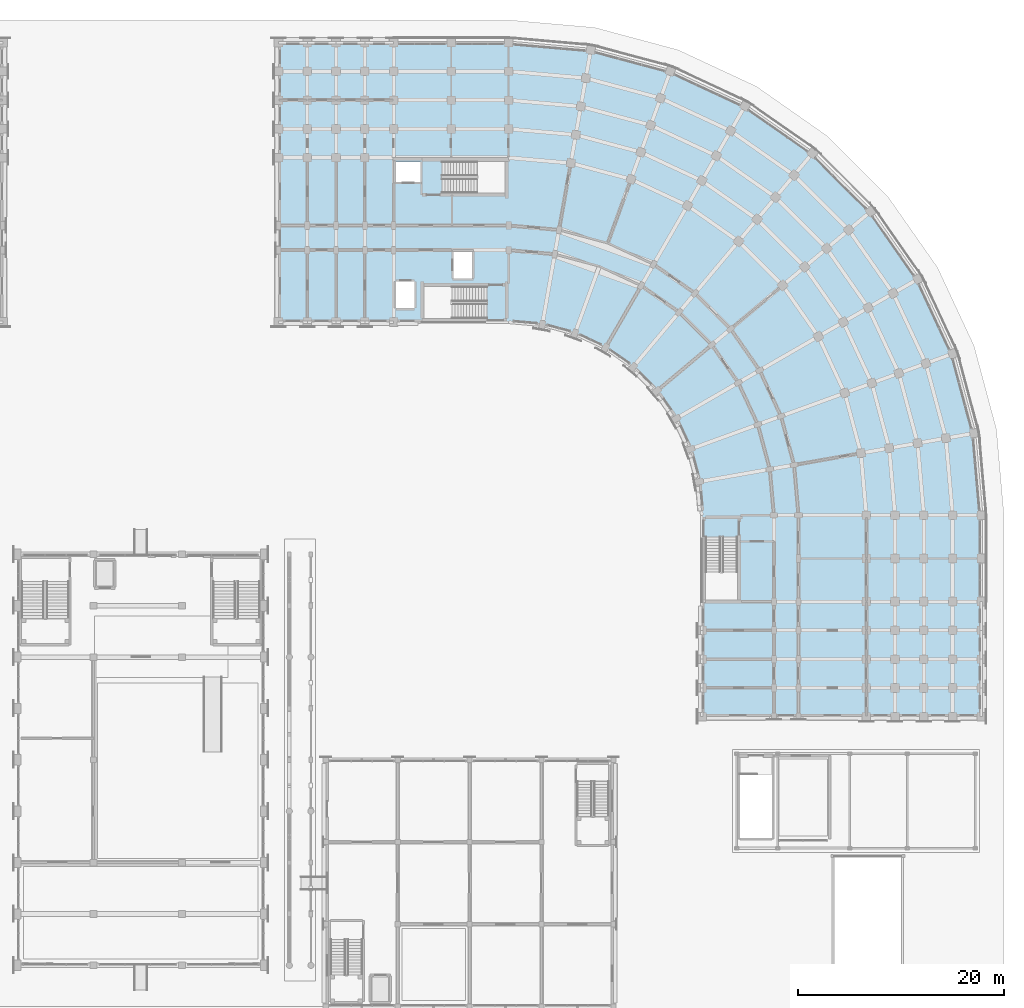
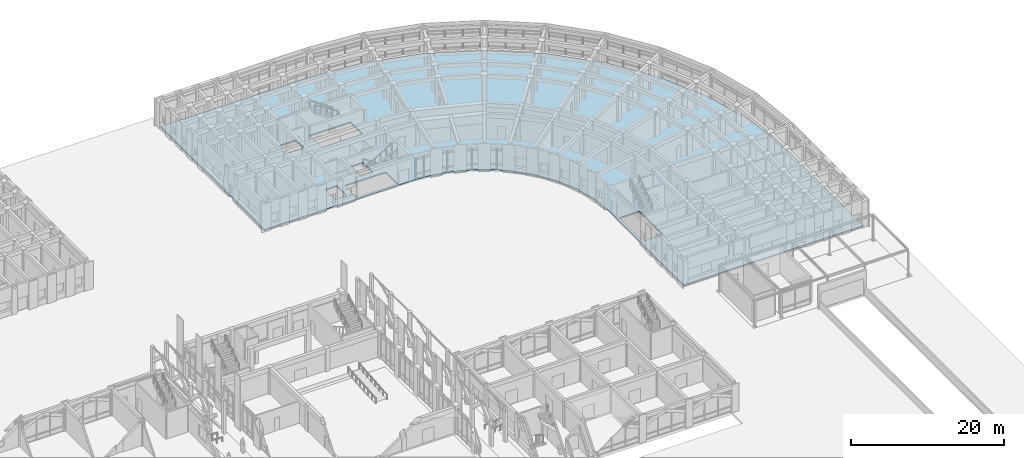
# One storey, part 71 of 135: 1 slab.
"""IFC4 building model written with IfcOpenShell, lengths in metres."""

from ifc_helpers import new_model, si_unit, direction, frame, origin, place, context, subcontext, project, spatial, polyline, outline, extrude, material, layer, layer_set, type_object, element, save


model = new_model("IFC4")

# Units and contexts
model_context = context("Model", 3, precision=1e-05, world=origin(), true_north=direction((0.0, 1.0)))
body_context = subcontext(model_context, "Body", "Model", "MODEL_VIEW")
ifc_project = project(units=[si_unit("LENGTHUNIT", "METRE"), si_unit("AREAUNIT", "SQUARE_METRE"), si_unit("VOLUMEUNIT", "CUBIC_METRE"), si_unit("PLANEANGLEUNIT", "RADIAN"), si_unit("MASSUNIT", "GRAM", prefix="KILO")], contexts=[model_context])

# Site, building, storey
site_placement = place(None, origin())
site = spatial("IfcSite", under=ifc_project, at=site_placement, CompositionType="ELEMENT")
building_placement = place(site_placement, origin())
building = spatial("IfcBuilding", under=site, at=building_placement, Name="Kiranvali Square Residences", CompositionType="ELEMENT")
storey_placement = place(building_placement, origin())
storey = spatial("IfcBuildingStorey", under=building, at=storey_placement, Name="L00", CompositionType="ELEMENT", Elevation=0.0)

# Slab
ifc_material = material(Name="Concrete M35 (35 MPa)", Category="concrete")
ifc_layer = layer(ifc_material, 0.219970703125)
ifc_layer_set = layer_set([ifc_layer], Name="Concrete M35 (35 MPa)")
slab_type = type_object("IfcSlabType", Name="SLB-FLR-220", PredefinedType="FLOOR", material=ifc_layer_set)
slab_placement = place(storey_placement, frame((0.0, 0.0, -0.219970703125)))
element("IfcSlab", 1, at=slab_placement, inside=storey, type_object=slab_type, Name="Block B L00 structural floor slab", PredefinedType="FLOOR", context=body_context, shape_type="SweptSolid", body=[
    extrude(outline(polyline([(119.800048828125, 106.60009765625), (123.064697265625, 106.314453125), (126.22998046875, 105.46630859375), (129.199951171875, 104.081298828125), (131.884521484375, 102.20166015625), (134.20166015625, 99.884521484375), (136.081298828125, 97.199951171875), (137.46630859375, 94.22998046875), (138.314453125, 91.064697265625), (138.60009765625, 87.800048828125), (138.60009765625, 68.199951171875), (165.800048828125, 68.199951171875), (165.800048828125, 87.800048828125), (165.10107421875, 95.787841796875), (163.02587890625, 103.532958984375), (159.63720703125, 110.800048828125), (155.0380859375, 117.3681640625), (149.3681640625, 123.0380859375), (142.800048828125, 127.63720703125), (135.532958984375, 131.02587890625), (127.787841796875, 133.10107421875), (119.800048828125, 133.800048828125), (97.39990234375, 133.800048828125), (97.39990234375, 106.60009765625), (119.800048828125, 106.60009765625)]), holes=[polyline([(108.75, 120.25), (111.199951171875, 120.25), (111.199951171875, 122.25), (108.75, 122.25), (108.75, 120.25)]), polyline([(108.85009765625, 107.949951171875), (110.64990234375, 107.949951171875), (110.64990234375, 110.550048828125), (108.85009765625, 110.550048828125), (108.85009765625, 107.949951171875)]), polyline([(114.449951171875, 110.85009765625), (116.25, 110.85009765625), (116.25, 113.449951171875), (114.449951171875, 113.449951171875), (114.449951171875, 110.85009765625)]), polyline([(113.300048828125, 119.14990234375), (119.449951171875, 119.14990234375), (119.449951171875, 122.25), (113.300048828125, 122.25), (113.300048828125, 119.14990234375)]), polyline([(117.699951171875, 110.050048828125), (111.550048828125, 110.050048828125), (111.550048828125, 106.949951171875), (117.699951171875, 106.949951171875), (117.699951171875, 110.050048828125)]), polyline([(138.949951171875, 85.699951171875), (138.949951171875, 79.550048828125), (142.050048828125, 79.550048828125), (142.050048828125, 85.699951171875), (138.949951171875, 85.699951171875)])]), origin(), (0.0, 0.0, 1.0), 0.219970703125),
])

save(model, "model.ifc")
